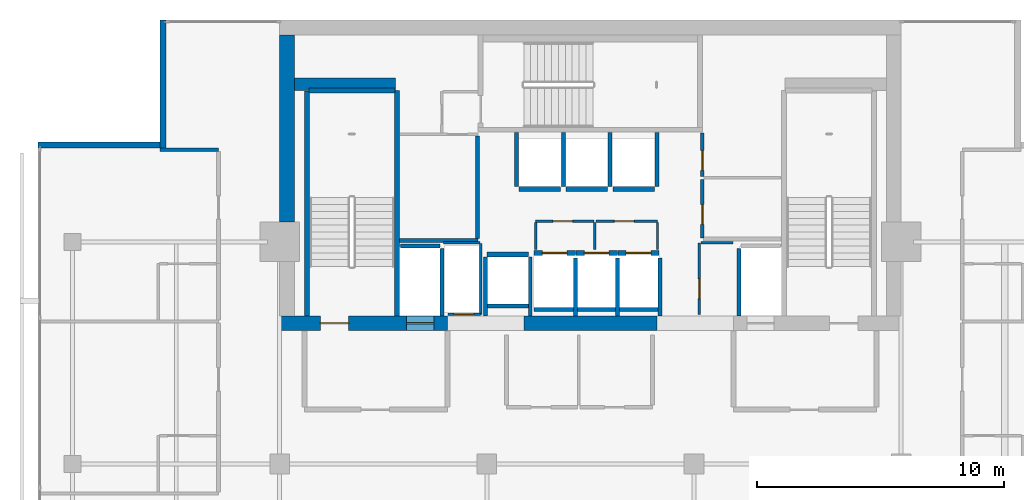
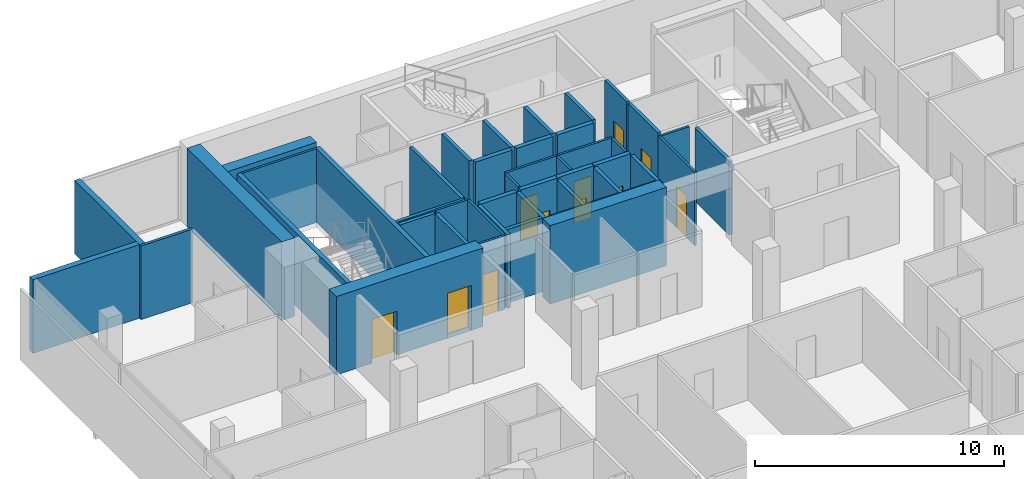
# One storey, part 22 of 26: 45 walls, 11 doors, 11 openings.
"""IFC4 building model written with IfcOpenShell, lengths in metres."""

from ifc_helpers import new_model, si_unit, direction, frame, frame_2d, origin, place, context, subcontext, project, spatial, rectangle, extrude, material, layer, layer_set, type_object, element, fill, save


model = new_model("IFC4")

# Units and contexts
model_context = context("Model", 3, precision=1e-05, world=origin(), true_north=direction((0.0, 1.0)))
body_context = subcontext(model_context, "Body", "Model", "MODEL_VIEW")
ifc_project = project(units=[si_unit("LENGTHUNIT", "METRE"), si_unit("AREAUNIT", "SQUARE_METRE"), si_unit("VOLUMEUNIT", "CUBIC_METRE"), si_unit("PLANEANGLEUNIT", "RADIAN"), si_unit("MASSUNIT", "GRAM", prefix="KILO")], contexts=[model_context])

# Site, building, storey
site_placement = place(None, origin())
site = spatial("IfcSite", under=ifc_project, at=site_placement, CompositionType="ELEMENT")
building_placement = place(site_placement, origin())
building = spatial("IfcBuilding", under=site, at=building_placement, Name="Maruvema Waterfront Hotel and Observation Tower", CompositionType="ELEMENT")
storey_placement = place(building_placement, frame((0.0, 0.0, 301.0)))
storey = spatial("IfcBuildingStorey", under=building, at=storey_placement, Name="L74", CompositionType="ELEMENT", Elevation=301.0)

# Walls
ifc_material_1 = material(Name="Twin-stud acoustic gypsum drywall", Category="gypsum")
ifc_layer_1 = layer(ifc_material_1, 0.14990234375, Name="Acoustic Corridor and Suite Demising Wall 150 mm")
ifc_layer_set_1 = layer_set([ifc_layer_1], Name="Twin-stud acoustic gypsum drywall")
wall_type_1 = type_object("IfcWallType", Name="Acoustic Corridor and Suite Demising Wall 150 mm", PredefinedType="PARTITIONING", material=ifc_layer_set_1)
wall_1_placement = place(storey_placement, frame((30.06005859375, 45.06005859375, 0.0), z_axis=(0.0, 0.0, 1.0), x_axis=(1.0, 0.0, 0.0)))
element("IfcWall", 1, at=wall_1_placement, inside=storey, type_object=wall_type_1, Name="L74 Freed B1 South Wall 017", PredefinedType="PARTITIONING", context=body_context, shape_type="SweptSolid", body=[
    extrude(rectangle(XDim=3.179931640625, YDim=0.14990234375, at=frame_2d((1.58984375, 0.0))), origin(), (0.0, 0.0, 1.0), 3.610107421875),
])
wall_2_placement = place(storey_placement, frame((33.219970703125, 45.139892578125, 0.0), z_axis=(0.0, 0.0, 1.0), x_axis=(0.0, 1.0, 0.0)))
element("IfcWall", 2, at=wall_2_placement, inside=storey, type_object=wall_type_1, Name="L74 Freed B1 East Wall 018", PredefinedType="PARTITIONING", context=body_context, shape_type="SweptSolid", body=[
    extrude(rectangle(XDim=4.16015625, YDim=0.14990234375, at=frame_2d((2.080078125, 0.0))), origin(), (0.0, 0.0, 1.0), 3.610107421875),
])

# Wall, opening, door
wall_3_placement = place(storey_placement, frame((42.340087890625, 45.159912109375, 0.0), z_axis=(0.0, 0.0, 1.0), x_axis=(0.0, 1.0, 0.0)))
wall_3 = element("IfcWall", 3, at=wall_3_placement, inside=storey, type_object=wall_type_1, Name="L74 Freed B2 West S 022", PredefinedType="PARTITIONING", context=body_context, shape_type="SweptSolid", body=[
    extrude(rectangle(XDim=2.380126953125, YDim=0.14990234375, at=frame_2d((1.18994140625, 0.0))), origin(), (0.0, 0.0, 1.0), 3.610107421875),
])
opening_1_placement = place(wall_3_placement, frame((0.550048828125, 0.0, 0.0)))
opening_1 = element("IfcOpeningElement", 4, at=opening_1_placement, cuts=wall_3, Name="Opening DR-080", PredefinedType="OPENING", context=body_context, shape_type="SweptSolid", body=[
    extrude(rectangle(XDim=0.800048828125, YDim=2.050048828125, at=frame_2d((0.39990234375, 1.02490234375))), frame((0.0, 0.0849609375, 0.0), z_axis=(0.0, -1.0, 0.0), x_axis=(1.0, 0.0, 0.0)), (0.0, 0.0, 1.0), 0.169921875),
])
ifc_material_2 = material(Name="Powder-coated steel access leaf", Category="steel")
door_type_1 = type_object("IfcDoorType", Name="Riser and Service Cupboard Door 800x2050 mm", OperationType="NOTDEFINED", PredefinedType="DOOR", material=ifc_material_2)
door_1_placement = place(opening_1_placement, frame((0.800048828125, 0.0, 0.0), z_axis=(0.0, 0.0, 1.0), x_axis=(-1.0, 0.0, 0.0)))
door_1 = element("IfcDoor", 5, at=door_1_placement, inside=storey, type_object=door_type_1, Name="L74 Butler Service Pantry Door", OperationType="SINGLE_SWING_LEFT", OverallHeight=2.050048828125, OverallWidth=0.800048828125, PredefinedType="DOOR", context=body_context, shape_type="SweptSolid", body=[
    extrude(rectangle(XDim=0.800048828125, YDim=2.050048828125, at=frame_2d((0.39990234375, 1.02490234375))), frame((0.0, 0.02490234375, 0.0), z_axis=(0.0, -1.0, 0.0), x_axis=(1.0, 0.0, 0.0)), (0.0, 0.0, 1.0), 0.050048828125),
])
fill(opening_1, door_1)

wall_4_placement = place(storey_placement, frame((42.340087890625, 47.659912109375, 0.0), z_axis=(0.0, 0.0, 1.0), x_axis=(0.0, 1.0, 0.0)))
wall_4 = element("IfcWall", 6, at=wall_4_placement, inside=storey, type_object=wall_type_1, Name="L74 Freed B2 West N 023", PredefinedType="PARTITIONING", context=body_context, shape_type="SweptSolid", body=[
    extrude(rectangle(XDim=1.760009765625, YDim=0.14990234375, at=frame_2d((0.8798828125, 0.0))), origin(), (0.0, 0.0, 1.0), 3.610107421875),
])
opening_2_placement = place(wall_4_placement, frame((0.239990234375, 0.0, 0.0)))
opening_2 = element("IfcOpeningElement", 7, at=opening_2_placement, cuts=wall_4, Name="Opening DR-080", PredefinedType="OPENING", context=body_context, shape_type="SweptSolid", body=[
    extrude(rectangle(XDim=0.800048828125, YDim=2.050048828125, at=frame_2d((0.39990234375, 1.02490234375))), frame((0.0, 0.0849609375, 0.0), z_axis=(0.0, -1.0, 0.0), x_axis=(1.0, 0.0, 0.0)), (0.0, 0.0, 1.0), 0.169921875),
])
door_2_placement = place(opening_2_placement, frame((0.800048828125, 0.0, 0.0), z_axis=(0.0, 0.0, 1.0), x_axis=(-1.0, 0.0, 0.0)))
door_2 = element("IfcDoor", 8, at=door_2_placement, inside=storey, type_object=door_type_1, Name="L74 Core IT and Linen Store Door", OperationType="SINGLE_SWING_RIGHT", OverallHeight=2.050048828125, OverallWidth=0.800048828125, PredefinedType="DOOR", context=body_context, shape_type="SweptSolid", body=[
    extrude(rectangle(XDim=0.800048828125, YDim=2.050048828125, at=frame_2d((0.39990234375, 1.02490234375))), frame((0.0, 0.02490234375, 0.0), z_axis=(0.0, -1.0, 0.0), x_axis=(1.0, 0.0, 0.0)), (0.0, 0.0, 1.0), 0.050048828125),
])
fill(opening_2, door_2)

# Walls
ifc_material_3 = material(Name="Precast concrete C45/55", Category="concrete")
ifc_layer_2 = layer(ifc_material_3, 0.199951171875, Name="Core Shaft and Stairwell Enclosure Wall 200 mm")
ifc_layer_set_2 = layer_set([ifc_layer_2], Name="Precast concrete C45/55")
wall_type_2 = type_object("IfcWallType", Name="Core Shaft and Stairwell Enclosure Wall 200 mm", PredefinedType="SOLIDWALL", material=ifc_layer_set_2)
wall_5_placement = place(storey_placement, frame((29.949951171875, 42.0, 0.0), z_axis=(0.0, 0.0, 1.0), x_axis=(0.0, 1.0, 0.0)))
element("IfcWall", 9, at=wall_5_placement, inside=storey, type_object=wall_type_2, Name="L74 Stairwell ST-01 East Shaft Wall", PredefinedType="SOLIDWALL", context=body_context, shape_type="SweptSolid", body=[
    extrude(rectangle(XDim=9.14990234375, YDim=0.199951171875, at=frame_2d((4.574951171875, 0.0))), origin(), (0.0, 0.0, 1.0), 3.610107421875),
])
wall_6_placement = place(storey_placement, frame((26.300048828125, 42.0, 0.0), z_axis=(0.0, 0.0, 1.0), x_axis=(0.0, 1.0, 0.0)))
element("IfcWall", 10, at=wall_6_placement, inside=storey, type_object=wall_type_2, Name="L74 Stairwell ST-01 Shaft Lining Wall", PredefinedType="SOLIDWALL", context=body_context, shape_type="SweptSolid", body=[
    extrude(rectangle(XDim=9.1201171875, YDim=0.199951171875, at=frame_2d((4.56005859375, 0.0))), origin(), (0.0, 0.0, 1.0), 3.610107421875),
])
wall_7_placement = place(storey_placement, frame((26.3798828125, 51.14990234375, 0.0), z_axis=(0.0, 0.0, 1.0), x_axis=(1.0, 0.0, 0.0)))
element("IfcWall", 11, at=wall_7_placement, inside=storey, type_object=wall_type_2, Name="L74 Stairwell ST-01 Shaft Lining Wall", PredefinedType="SOLIDWALL", context=body_context, shape_type="SweptSolid", body=[
    extrude(rectangle(XDim=3.5, YDim=0.199951171875, at=frame_2d((1.75, 0.0))), origin(), (0.0, 0.0, 1.0), 3.610107421875),
])

# Wall, opening, door
wall_8_placement = place(storey_placement, frame((35.510009765625, 44.550048828125, 0.0), z_axis=(0.0, 0.0, 1.0), x_axis=(1.0, 0.0, 0.0)))
wall_8 = element("IfcWall", 12, at=wall_8_placement, inside=storey, type_object=wall_type_2, Name="L74 Lift LF-09 Hoistway Front Wall", PredefinedType="SOLIDWALL", context=body_context, shape_type="SweptSolid", body=[
    extrude(rectangle(XDim=1.679931640625, YDim=0.199951171875, at=frame_2d((0.83984375, 0.0))), origin(), (0.0, 0.0, 1.0), 3.610107421875),
])
opening_3_placement = place(wall_8_placement, frame((0.340087890625, 0.0, 0.0)))
opening_3 = element("IfcOpeningElement", 13, at=opening_3_placement, cuts=wall_8, Name="Opening LD-01", PredefinedType="OPENING", context=body_context, shape_type="SweptSolid", body=[
    extrude(rectangle(XDim=1.0, YDim=2.14990234375, at=frame_2d((0.5, 1.074951171875))), frame((0.0, 0.10986328125, 0.0), z_axis=(0.0, -1.0, 0.0), x_axis=(1.0, 0.0, 0.0)), (0.0, 0.0, 1.0), 0.219970703125),
])
ifc_material_4 = material(Name="Brushed stainless steel Grade 316", Category="steel")
door_type_2 = type_object("IfcDoorType", Name="Passenger Lift Sliding Landing Door 1000x2150 mm", OperationType="SLIDING_TO_LEFT", PredefinedType="DOOR", material=ifc_material_4)
door_3_placement = place(opening_3_placement, origin())
door_3 = element("IfcDoor", 14, at=door_3_placement, inside=storey, type_object=door_type_2, Name="L74 Lift LF-09 Sliding Landing Door", OperationType="SLIDING_TO_LEFT", OverallHeight=2.14990234375, OverallWidth=1.0, PredefinedType="DOOR", context=body_context, shape_type="SweptSolid", body=[
    extrude(rectangle(XDim=1.0, YDim=2.14990234375, at=frame_2d((0.5, 1.074951171875))), frame((0.0, 0.02490234375, 0.0), z_axis=(0.0, -1.0, 0.0), x_axis=(1.0, 0.0, 0.0)), (0.0, 0.0, 1.0), 0.050048828125),
])
fill(opening_3, door_3)

wall_9_placement = place(storey_placement, frame((37.2099609375, 44.550048828125, 0.0), z_axis=(0.0, 0.0, 1.0), x_axis=(1.0, 0.0, 0.0)))
wall_9 = element("IfcWall", 15, at=wall_9_placement, inside=storey, type_object=wall_type_2, Name="L74 Lift LF-10 Hoistway Front Wall", PredefinedType="SOLIDWALL", context=body_context, shape_type="SweptSolid", body=[
    extrude(rectangle(XDim=1.679931640625, YDim=0.199951171875, at=frame_2d((0.83984375, 0.0))), origin(), (0.0, 0.0, 1.0), 3.610107421875),
])
opening_4_placement = place(wall_9_placement, frame((0.340087890625, 0.0, 0.0)))
opening_4 = element("IfcOpeningElement", 16, at=opening_4_placement, cuts=wall_9, Name="Opening LD-01", PredefinedType="OPENING", context=body_context, shape_type="SweptSolid", body=[
    extrude(rectangle(XDim=1.0, YDim=2.14990234375, at=frame_2d((0.5, 1.074951171875))), frame((0.0, 0.10986328125, 0.0), z_axis=(0.0, -1.0, 0.0), x_axis=(1.0, 0.0, 0.0)), (0.0, 0.0, 1.0), 0.219970703125),
])
door_4_placement = place(opening_4_placement, origin())
door_4 = element("IfcDoor", 17, at=door_4_placement, inside=storey, type_object=door_type_2, Name="L74 Lift LF-10 Sliding Landing Door", OperationType="SLIDING_TO_LEFT", OverallHeight=2.14990234375, OverallWidth=1.0, PredefinedType="DOOR", context=body_context, shape_type="SweptSolid", body=[
    extrude(rectangle(XDim=1.0, YDim=2.14990234375, at=frame_2d((0.5, 1.074951171875))), frame((0.0, 0.02490234375, 0.0), z_axis=(0.0, -1.0, 0.0), x_axis=(1.0, 0.0, 0.0)), (0.0, 0.0, 1.0), 0.050048828125),
])
fill(opening_4, door_4)

wall_10_placement = place(storey_placement, frame((38.909912109375, 44.550048828125, 0.0), z_axis=(0.0, 0.0, 1.0), x_axis=(1.0, 0.0, 0.0)))
wall_10 = element("IfcWall", 18, at=wall_10_placement, inside=storey, type_object=wall_type_2, Name="L74 Lift LF-11 Hoistway Front Wall", PredefinedType="SOLIDWALL", context=body_context, shape_type="SweptSolid", body=[
    extrude(rectangle(XDim=1.68017578125, YDim=0.199951171875, at=frame_2d((0.840087890625, 0.0))), origin(), (0.0, 0.0, 1.0), 3.610107421875),
])
opening_5_placement = place(wall_10_placement, frame((0.340087890625, 0.0, 0.0)))
opening_5 = element("IfcOpeningElement", 19, at=opening_5_placement, cuts=wall_10, Name="Opening LD-01", PredefinedType="OPENING", context=body_context, shape_type="SweptSolid", body=[
    extrude(rectangle(XDim=1.0, YDim=2.14990234375, at=frame_2d((0.5, 1.074951171875))), frame((0.0, 0.10986328125, 0.0), z_axis=(0.0, -1.0, 0.0), x_axis=(1.0, 0.0, 0.0)), (0.0, 0.0, 1.0), 0.219970703125),
])
door_5_placement = place(opening_5_placement, origin())
door_5 = element("IfcDoor", 20, at=door_5_placement, inside=storey, type_object=door_type_2, Name="L74 Lift LF-11 Sliding Landing Door", OperationType="SLIDING_TO_LEFT", OverallHeight=2.14990234375, OverallWidth=1.0, PredefinedType="DOOR", context=body_context, shape_type="SweptSolid", body=[
    extrude(rectangle(XDim=1.0, YDim=2.14990234375, at=frame_2d((0.5, 1.074951171875))), frame((0.0, 0.02490234375, 0.0), z_axis=(0.0, -1.0, 0.0), x_axis=(1.0, 0.0, 0.0)), (0.0, 0.0, 1.0), 0.050048828125),
])
fill(opening_5, door_5)

# Walls
wall_11_placement = place(storey_placement, frame((34.909912109375, 47.14990234375, 0.0), z_axis=(0.0, 0.0, 1.0), x_axis=(1.0, 0.0, 0.0)))
element("IfcWall", 21, at=wall_11_placement, inside=storey, type_object=wall_type_2, Name="L74 Lift LF-12 Hoistway Front Wall", PredefinedType="SOLIDWALL", context=body_context, shape_type="SweptSolid", body=[
    extrude(rectangle(XDim=1.68017578125, YDim=0.199951171875, at=frame_2d((0.840087890625, 0.0))), origin(), (0.0, 0.0, 1.0), 3.610107421875),
])
for number, where, z_axis, x_axis, name in (
    (22, (36.81005859375, 47.14990234375, 0.0), (0.0, 0.0, 1.0), (1.0, 0.0, 0.0), "L74 Lift LF-13 Hoistway Front Wall"),
    (23, (38.7099609375, 47.14990234375, 0.0), (0.0, 0.0, 1.0), (1.0, 0.0, 0.0), "L74 Lift LF-14 Hoistway Front Wall"),
    (24, (33.610107421875, 44.5, 0.0), (0.0, 0.0, 1.0), (1.0, 0.0, 0.0), "L74 Lift LF-15 Hoistway Front Wall"),
):
    element("IfcWall", number, at=place(storey_placement, frame(where, z_axis=z_axis, x_axis=x_axis)), inside=storey, type_object=wall_type_2, Name=name, PredefinedType="SOLIDWALL", context=body_context, shape_type="SweptSolid", body=[
        extrude(rectangle(XDim=1.679931640625, YDim=0.199951171875, at=frame_2d((0.83984375, 0.0))), origin(), (0.0, 0.0, 1.0), 3.610107421875),
    ])
ifc_material_5 = material(Name="Concrete C70/85", Category="concrete")
ifc_layer_3 = layer(ifc_material_5, 0.5, Name="Core Shear Wall 500 mm")
ifc_layer_set_3 = layer_set([ifc_layer_3], Name="Concrete C70/85")
wall_type_3 = type_object("IfcWallType", Name="Core Shear Wall 500 mm", PredefinedType="SHEAR", material=ifc_layer_set_3)
wall_12_placement = place(storey_placement, frame((25.800048828125, 51.39990234375, 0.0), z_axis=(0.0, 0.0, 1.0), x_axis=(1.0, 0.0, 0.0)))
element("IfcWall", 25, at=wall_12_placement, inside=storey, type_object=wall_type_3, Name="L74 Internal Core Shear Wall NW 500 mm", PredefinedType="SHEAR", context=body_context, shape_type="SweptSolid", body=[
    extrude(rectangle(XDim=4.099853515625, YDim=0.5, at=frame_2d((2.0498046875, 0.0))), origin(), (0.0, 0.0, 1.0), 3.85009765625),
])

# Wall, openings, doors
ifc_material_6 = material(Name="Concrete C60/75", Category="concrete")
ifc_layer_4 = layer(ifc_material_6, 0.60009765625, Name="Core Shear Wall 600 mm")
ifc_layer_set_4 = layer_set([ifc_layer_4], Name="Concrete C60/75")
wall_type_4 = type_object("IfcWallType", Name="Core Shear Wall 600 mm", PredefinedType="SHEAR", material=ifc_layer_set_4)
wall_13_placement = place(storey_placement, frame((25.199951171875, 41.699951171875, 0.0), z_axis=(0.0, 0.0, 1.0), x_axis=(1.0, 0.0, 0.0)))
wall_13 = element("IfcWall", 26, at=wall_13_placement, inside=storey, type_object=wall_type_4, Name="L74 South-West Core Shear Wall", PredefinedType="SHEAR", context=body_context, shape_type="SweptSolid", body=[
    extrude(rectangle(XDim=6.800048828125, YDim=0.60009765625, at=frame_2d((3.39990234375, 0.0))), origin(), (0.0, 0.0, 1.0), 3.85009765625),
])
opening_6_placement = place(wall_13_placement, frame((1.64990234375, 0.0, 0.0)))
opening_6 = element("IfcOpeningElement", 27, at=opening_6_placement, cuts=wall_13, Name="Opening SD-01", PredefinedType="OPENING", context=body_context, shape_type="SweptSolid", body=[
    extrude(rectangle(XDim=1.14990234375, YDim=2.14990234375, at=frame_2d((0.574951171875, 1.074951171875))), frame((0.0, 0.31005859375, 0.0), z_axis=(0.0, -1.0, 0.0), x_axis=(1.0, 0.0, 0.0)), (0.0, 0.0, 1.0), 0.6201171875),
])
opening_7_placement = place(wall_13_placement, frame((5.14990234375, 0.0, 0.0)))
opening_7 = element("IfcOpeningElement", 28, at=opening_7_placement, cuts=wall_13, Name="Opening LD-03", PredefinedType="OPENING", context=body_context, shape_type="SweptSolid", body=[
    extrude(rectangle(XDim=1.10009765625, YDim=2.199951171875, at=frame_2d((0.550048828125, 1.10009765625))), frame((0.0, 0.31005859375, 0.0), z_axis=(0.0, -1.0, 0.0), x_axis=(1.0, 0.0, 0.0)), (0.0, 0.0, 1.0), 0.6201171875),
])
ifc_material_7 = material(Name="Fire-rated galvanised steel leaf", Category="steel")
door_type_3 = type_object("IfcDoorType", Name="Exit Stair Fire Door 1150x2150 mm", OperationType="NOTDEFINED", PredefinedType="DOOR", material=ifc_material_7)
door_6_placement = place(opening_6_placement, origin())
door_6 = element("IfcDoor", 29, at=door_6_placement, inside=storey, type_object=door_type_3, Name="L74 Exit Stair ST-01 Fire Door", OperationType="SINGLE_SWING_LEFT", OverallHeight=2.14990234375, OverallWidth=1.14990234375, PredefinedType="DOOR", context=body_context, shape_type="SweptSolid", body=[
    extrude(rectangle(XDim=1.14990234375, YDim=2.14990234375, at=frame_2d((0.574951171875, 1.074951171875))), frame((0.0, 0.02490234375, 0.0), z_axis=(0.0, -1.0, 0.0), x_axis=(1.0, 0.0, 0.0)), (0.0, 0.0, 1.0), 0.050048828125),
])
fill(opening_6, door_6)
ifc_material_8 = material(Name="Brushed stainless steel Grade 316", Category="steel")
door_type_4 = type_object("IfcDoorType", Name="Firefighting Lift Sliding Landing Door 1100x2200 mm", OperationType="SLIDING_TO_LEFT", PredefinedType="DOOR", material=ifc_material_8)
door_7_placement = place(opening_7_placement, frame((1.10009765625, 0.0, 0.0), z_axis=(0.0, 0.0, 1.0), x_axis=(-1.0, 0.0, 0.0)))
door_7 = element("IfcDoor", 30, at=door_7_placement, inside=storey, type_object=door_type_4, Name="L74 Firefighting Lift FL-01 Landing Door", OperationType="SLIDING_TO_LEFT", OverallHeight=2.199951171875, OverallWidth=1.10009765625, PredefinedType="DOOR", context=body_context, shape_type="SweptSolid", body=[
    extrude(rectangle(XDim=1.10009765625, YDim=2.199951171875, at=frame_2d((0.550048828125, 1.10009765625))), frame((0.0, 0.02490234375, 0.0), z_axis=(0.0, -1.0, 0.0), x_axis=(1.0, 0.0, 0.0)), (0.0, 0.0, 1.0), 0.050048828125),
])
fill(opening_7, door_7)

# Walls
wall_14_placement = place(storey_placement, frame((35.10009765625, 41.699951171875, 0.0), z_axis=(0.0, 0.0, 1.0), x_axis=(1.0, 0.0, 0.0)))
element("IfcWall", 31, at=wall_14_placement, inside=storey, type_object=wall_type_4, Name="L74 South-Central Core Shear Wall", PredefinedType="SHEAR", context=body_context, shape_type="SweptSolid", body=[
    extrude(rectangle(XDim=5.39990234375, YDim=0.60009765625, at=frame_2d((2.699951171875, 0.0))), origin(), (0.0, 0.0, 1.0), 3.85009765625),
])
wall_15_placement = place(storey_placement, frame((25.5, 45.800048828125, 0.0), z_axis=(0.0, 0.0, 1.0), x_axis=(0.0, 1.0, 0.0)))
element("IfcWall", 32, at=wall_15_placement, inside=storey, type_object=wall_type_4, Name="L74 West-North Core Shear Wall", PredefinedType="SHEAR", context=body_context, shape_type="SweptSolid", body=[
    extrude(rectangle(XDim=7.599853515625, YDim=0.60009765625, at=frame_2d((3.7998046875, 0.0))), origin(), (0.0, 0.0, 1.0), 3.85009765625),
])

# Wall, opening, door
ifc_material_9 = material(Name="Moisture-resistant cement-board drywall", Category="gypsum")
ifc_layer_5 = layer(ifc_material_9, 0.10009765625, Name="En-Suite Moisture-Resistant Partition 100 mm")
ifc_layer_set_5 = layer_set([ifc_layer_5], Name="Moisture-resistant cement-board drywall")
wall_type_5 = type_object("IfcWallType", Name="En-Suite Moisture-Resistant Partition 100 mm", PredefinedType="PARTITIONING", material=ifc_layer_set_5)
wall_16_placement = place(storey_placement, frame((32.02001953125, 42.06005859375, 0.0), z_axis=(0.0, 0.0, 1.0), x_axis=(1.0, 0.0, 0.0)))
wall_16 = element("IfcWall", 33, at=wall_16_placement, inside=storey, type_object=wall_type_5, Name="L74 Telecom Riser South Wall 007", PredefinedType="PARTITIONING", context=body_context, shape_type="SweptSolid", body=[
    extrude(rectangle(XDim=1.320068359375, YDim=0.10009765625, at=frame_2d((0.66015625, 0.0))), origin(), (0.0, 0.0, 1.0), 3.610107421875),
])
opening_8_placement = place(wall_16_placement, frame((0.239990234375, 0.0, 0.0)))
opening_8 = element("IfcOpeningElement", 34, at=opening_8_placement, cuts=wall_16, Name="Opening DR-080", PredefinedType="OPENING", context=body_context, shape_type="SweptSolid", body=[
    extrude(rectangle(XDim=0.800048828125, YDim=2.050048828125, at=frame_2d((0.39990234375, 1.02490234375))), frame((0.0, 0.06005859375, 0.0), z_axis=(0.0, -1.0, 0.0), x_axis=(1.0, 0.0, 0.0)), (0.0, 0.0, 1.0), 0.1201171875),
])
door_8_placement = place(opening_8_placement, frame((0.800048828125, 0.0, 0.0), z_axis=(0.0, 0.0, 1.0), x_axis=(-1.0, 0.0, 0.0)))
door_8 = element("IfcDoor", 35, at=door_8_placement, inside=storey, type_object=door_type_1, Name="L74 Telecom Riser Door", OperationType="SINGLE_SWING_LEFT", OverallHeight=2.050048828125, OverallWidth=0.800048828125, PredefinedType="DOOR", context=body_context, shape_type="SweptSolid", body=[
    extrude(rectangle(XDim=0.800048828125, YDim=2.050048828125, at=frame_2d((0.39990234375, 1.02490234375))), frame((0.0, 0.02490234375, 0.0), z_axis=(0.0, -1.0, 0.0), x_axis=(1.0, 0.0, 0.0)), (0.0, 0.0, 1.0), 0.050048828125),
])
fill(opening_8, door_8)

# Walls
wall_17_placement = place(storey_placement, frame((31.840087890625, 44.9599609375, 0.0), z_axis=(0.0, 0.0, 1.0), x_axis=(1.0, 0.0, 0.0)))
element("IfcWall", 36, at=wall_17_placement, inside=storey, type_object=wall_type_5, Name="L74 Telecom Riser North Wall 008", PredefinedType="PARTITIONING", context=body_context, shape_type="SweptSolid", body=[
    extrude(rectangle(XDim=1.47998046875, YDim=0.10009765625, at=frame_2d((0.739990234375, 0.0))), origin(), (0.0, 0.0, 1.0), 3.610107421875),
])
wall_18_placement = place(storey_placement, frame((33.360107421875, 42.06005859375, 0.0), z_axis=(0.0, 0.0, 1.0), x_axis=(0.0, 1.0, 0.0)))
element("IfcWall", 37, at=wall_18_placement, inside=storey, type_object=wall_type_5, Name="L74 Telecom Riser East Wall 009", PredefinedType="PARTITIONING", context=body_context, shape_type="SweptSolid", body=[
    extrude(rectangle(XDim=2.8798828125, YDim=0.10009765625, at=frame_2d((1.43994140625, 0.0))), origin(), (0.0, 0.0, 1.0), 3.610107421875),
])

# Wall, opening, door
wall_19_placement = place(storey_placement, frame((35.580078125, 45.840087890625, 0.0), z_axis=(0.0, 0.0, 1.0), x_axis=(1.0, 0.0, 0.0)))
wall_19 = element("IfcWall", 38, at=wall_19_placement, inside=storey, type_object=wall_type_5, Name="L74 Core Closet K2A North 010", PredefinedType="PARTITIONING", context=body_context, shape_type="SweptSolid", body=[
    extrude(rectangle(XDim=2.35986328125, YDim=0.10009765625, at=frame_2d((1.179931640625, 0.0))), origin(), (0.0, 0.0, 1.0), 3.610107421875),
])
opening_9_placement = place(wall_19_placement, frame((0.699951171875, 0.0, 0.0)))
opening_9 = element("IfcOpeningElement", 39, at=opening_9_placement, cuts=wall_19, Name="Opening DR-080", PredefinedType="OPENING", context=body_context, shape_type="SweptSolid", body=[
    extrude(rectangle(XDim=0.800048828125, YDim=2.050048828125, at=frame_2d((0.39990234375, 1.02490234375))), frame((0.0, 0.06005859375, 0.0), z_axis=(0.0, -1.0, 0.0), x_axis=(1.0, 0.0, 0.0)), (0.0, 0.0, 1.0), 0.1201171875),
])
door_9_placement = place(opening_9_placement, origin())
door_9 = element("IfcDoor", 40, at=door_9_placement, inside=storey, type_object=door_type_1, Name="L74 Core IT Closet Door", OperationType="SINGLE_SWING_RIGHT", OverallHeight=2.050048828125, OverallWidth=0.800048828125, PredefinedType="DOOR", context=body_context, shape_type="SweptSolid", body=[
    extrude(rectangle(XDim=0.800048828125, YDim=2.050048828125, at=frame_2d((0.39990234375, 1.02490234375))), frame((0.0, 0.02490234375, 0.0), z_axis=(0.0, -1.0, 0.0), x_axis=(1.0, 0.0, 0.0)), (0.0, 0.0, 1.0), 0.050048828125),
])
fill(opening_9, door_9)

wall_20_placement = place(storey_placement, frame((38.02001953125, 45.840087890625, 0.0), z_axis=(0.0, 0.0, 1.0), x_axis=(1.0, 0.0, 0.0)))
wall_20 = element("IfcWall", 41, at=wall_20_placement, inside=storey, type_object=wall_type_5, Name="L74 Core Closet K2B North 011", PredefinedType="PARTITIONING", context=body_context, shape_type="SweptSolid", body=[
    extrude(rectangle(XDim=2.5, YDim=0.10009765625, at=frame_2d((1.25, 0.0))), origin(), (0.0, 0.0, 1.0), 3.610107421875),
])
opening_10_placement = place(wall_20_placement, frame((0.75, 0.0, 0.0)))
opening_10 = element("IfcOpeningElement", 42, at=opening_10_placement, cuts=wall_20, Name="Opening DR-080", PredefinedType="OPENING", context=body_context, shape_type="SweptSolid", body=[
    extrude(rectangle(XDim=0.800048828125, YDim=2.050048828125, at=frame_2d((0.39990234375, 1.02490234375))), frame((0.0, 0.06005859375, 0.0), z_axis=(0.0, -1.0, 0.0), x_axis=(1.0, 0.0, 0.0)), (0.0, 0.0, 1.0), 0.1201171875),
])
door_10_placement = place(opening_10_placement, origin())
door_10 = element("IfcDoor", 43, at=door_10_placement, inside=storey, type_object=door_type_1, Name="L74 Core Linen Cupboard Door", OperationType="SINGLE_SWING_LEFT", OverallHeight=2.050048828125, OverallWidth=0.800048828125, PredefinedType="DOOR", context=body_context, shape_type="SweptSolid", body=[
    extrude(rectangle(XDim=0.800048828125, YDim=2.050048828125, at=frame_2d((0.39990234375, 1.02490234375))), frame((0.0, 0.02490234375, 0.0), z_axis=(0.0, -1.0, 0.0), x_axis=(1.0, 0.0, 0.0)), (0.0, 0.0, 1.0), 0.050048828125),
])
fill(opening_10, door_10)

# Walls
for number, where, z_axis, x_axis, name in (
    (44, (35.580078125, 44.699951171875, 0.0), (0.0, 0.0, 1.0), (0.0, 1.0, 0.0), "L74 Core Closet K2 West 012"),
    (45, (37.97998046875, 44.699951171875, 0.0), (0.0, 0.0, 1.0), (0.0, 1.0, 0.0), "L74 Core Closet K2 Mid 013"),
    (46, (40.52001953125, 44.699951171875, 0.0), (0.0, 0.0, 1.0), (0.0, 1.0, 0.0), "L74 Core Closet K2 East 014"),
):
    element("IfcWall", number, at=place(storey_placement, frame(where, z_axis=z_axis, x_axis=x_axis)), inside=storey, type_object=wall_type_5, Name=name, PredefinedType="PARTITIONING", context=body_context, shape_type="SweptSolid", body=[
        extrude(rectangle(XDim=1.080078125, YDim=0.10009765625, at=frame_2d((0.5400390625, 0.0))), origin(), (0.0, 0.0, 1.0), 3.610107421875),
    ])

# Wall, opening, door
wall_21_placement = place(storey_placement, frame((42.219970703125, 42.050048828125, 0.0), z_axis=(0.0, 0.0, 1.0), x_axis=(0.0, 1.0, 0.0)))
wall_21 = element("IfcWall", 47, at=wall_21_placement, inside=storey, type_object=wall_type_5, Name="L74 Core Closet K2C West 015", PredefinedType="PARTITIONING", context=body_context, shape_type="SweptSolid", body=[
    extrude(rectangle(XDim=2.909912109375, YDim=0.10009765625, at=frame_2d((1.455078125, 0.0))), origin(), (0.0, 0.0, 1.0), 3.610107421875),
])
opening_11_placement = place(wall_21_placement, frame((0.64990234375, 0.0, 0.0)))
opening_11 = element("IfcOpeningElement", 48, at=opening_11_placement, cuts=wall_21, Name="Opening DR-080", PredefinedType="OPENING", context=body_context, shape_type="SweptSolid", body=[
    extrude(rectangle(XDim=0.800048828125, YDim=2.050048828125, at=frame_2d((0.39990234375, 1.02490234375))), frame((0.0, 0.06005859375, 0.0), z_axis=(0.0, -1.0, 0.0), x_axis=(1.0, 0.0, 0.0)), (0.0, 0.0, 1.0), 0.1201171875),
])
door_11_placement = place(opening_11_placement, frame((0.800048828125, 0.0, 0.0), z_axis=(0.0, 0.0, 1.0), x_axis=(-1.0, 0.0, 0.0)))
door_11 = element("IfcDoor", 49, at=door_11_placement, inside=storey, type_object=door_type_1, Name="L74 Core Housekeeping Closet Door", OperationType="SINGLE_SWING_RIGHT", OverallHeight=2.050048828125, OverallWidth=0.800048828125, PredefinedType="DOOR", context=body_context, shape_type="SweptSolid", body=[
    extrude(rectangle(XDim=0.800048828125, YDim=2.050048828125, at=frame_2d((0.39990234375, 1.02490234375))), frame((0.0, 0.02490234375, 0.0), z_axis=(0.0, -1.0, 0.0), x_axis=(1.0, 0.0, 0.0)), (0.0, 0.0, 1.0), 0.050048828125),
])
fill(opening_11, door_11)

# Walls
wall_22_placement = place(storey_placement, frame((42.280029296875, 44.9599609375, 0.0), z_axis=(0.0, 0.0, 1.0), x_axis=(1.0, 0.0, 0.0)))
element("IfcWall", 50, at=wall_22_placement, inside=storey, type_object=wall_type_5, Name="L74 Core Closet K2C North 016", PredefinedType="PARTITIONING", context=body_context, shape_type="SweptSolid", body=[
    extrude(rectangle(XDim=1.300048828125, YDim=0.10009765625, at=frame_2d((0.64990234375, 0.0))), origin(), (0.0, 0.0, 1.0), 3.610107421875),
])
ifc_material_10 = material(Name="Precast concrete C45/55 with honed Pernambuco granite facing", Category="masonry")
ifc_layer_6 = layer(ifc_material_10, 0.260009765625, Name="Exterior Granite Clad Spandrel and Pier Wall 260 mm")
ifc_layer_set_6 = layer_set([ifc_layer_6], Name="Precast concrete C45/55 with honed Pernambuco granite facing")
wall_type_6 = type_object("IfcWallType", Name="Exterior Granite Clad Spandrel and Pier Wall 260 mm", PredefinedType="SOLIDWALL", material=ifc_layer_set_6)
wall_23_placement = place(storey_placement, frame((20.469970703125, 48.800048828125, 0.0), z_axis=(0.0, 0.0, 1.0), x_axis=(0.0, 1.0, 0.0)))
element("IfcWall", 51, at=wall_23_placement, inside=storey, type_object=wall_type_6, Name="L74 Corner Notch Granite Pier Wall NW1", PredefinedType="SOLIDWALL", context=body_context, shape_type="SweptSolid", body=[
    extrude(rectangle(XDim=5.199951171875, YDim=0.260009765625, at=frame_2d((2.60009765625, 0.0))), origin(), (0.0, 0.0, 1.0), 3.610107421875),
])
wall_24_placement = place(storey_placement, frame((15.39990234375, 48.929931640625, 0.0), z_axis=(0.0, 0.0, 1.0), x_axis=(1.0, 0.0, 0.0)))
element("IfcWall", 52, at=wall_24_placement, inside=storey, type_object=wall_type_6, Name="L74 Corner Notch Granite Pier Wall NW2", PredefinedType="SOLIDWALL", context=body_context, shape_type="SweptSolid", body=[
    extrude(rectangle(XDim=5.2001953125, YDim=0.260009765625, at=frame_2d((2.60009765625, 0.0))), origin(), (0.0, 0.0, 1.0), 3.610107421875),
])
ifc_material_11 = material(Name="Acoustic gypsum plasterboard drywall", Category="gypsum")
ifc_layer_7 = layer(ifc_material_11, 0.125, Name="Guestroom Acoustic Demising Wall 125 mm")
ifc_layer_set_7 = layer_set([ifc_layer_7], Name="Acoustic gypsum plasterboard drywall")
wall_type_7 = type_object("IfcWallType", Name="Guestroom Acoustic Demising Wall 125 mm", PredefinedType="PARTITIONING", material=ifc_layer_set_7)
wall_25_placement = place(storey_placement, frame((20.340087890625, 48.737548828125, 0.0), z_axis=(0.0, 0.0, 1.0), x_axis=(1.0, 0.0, 0.0)))
element("IfcWall", 53, at=wall_25_placement, inside=storey, type_object=wall_type_7, Name="L74 Z3 NW Top End 085", PredefinedType="PARTITIONING", context=body_context, shape_type="SweptSolid", body=[
    extrude(rectangle(XDim=2.3798828125, YDim=0.125, at=frame_2d((1.18994140625, 0.0))), origin(), (0.0, 0.0, 1.0), 3.610107421875),
])
ifc_material_12 = material(Name="Precast concrete C45/55", Category="concrete")
ifc_layer_8 = layer(ifc_material_12, 0.159912109375, Name="Lift Hoistway Divider Wall 160 mm")
ifc_layer_set_8 = layer_set([ifc_layer_8], Name="Precast concrete C45/55")
wall_type_8 = type_object("IfcWallType", Name="Lift Hoistway Divider Wall 160 mm", PredefinedType="SOLIDWALL", material=ifc_layer_set_8)
wall_26_placement = place(storey_placement, frame((30.10009765625, 44.830078125, 0.0), z_axis=(0.0, 0.0, 1.0), x_axis=(1.0, 0.0, 0.0)))
element("IfcWall", 54, at=wall_26_placement, inside=storey, type_object=wall_type_8, Name="L74 Lift FL-01 Rear Hoistway Wall", PredefinedType="SOLIDWALL", context=body_context, shape_type="SweptSolid", body=[
    extrude(rectangle(XDim=1.599853515625, YDim=0.159912109375, at=frame_2d((0.7998046875, 0.0))), origin(), (0.0, 0.0, 1.0), 3.610107421875),
])
for number, where, z_axis, x_axis, name in (
    (55, (31.780029296875, 42.0, 0.0), (0.0, 0.0, 1.0), (0.0, 1.0, 0.0), "L74 Lift FL-01 Inner Hoistway Wall"),
    (56, (43.820068359375, 42.0, 0.0), (0.0, 0.0, 1.0), (0.0, 1.0, 0.0), "L74 Lift FL-02 Inner Hoistway Wall"),
):
    element("IfcWall", number, at=place(storey_placement, frame(where, z_axis=z_axis, x_axis=x_axis)), inside=storey, type_object=wall_type_8, Name=name, PredefinedType="SOLIDWALL", context=body_context, shape_type="SweptSolid", body=[
        extrude(rectangle(XDim=2.739990234375, YDim=0.159912109375, at=frame_2d((1.3701171875, 0.0))), origin(), (0.0, 0.0, 1.0), 3.610107421875),
    ])
for number, where, z_axis, x_axis, name in (
    (57, (37.199951171875, 42.0, 0.0), (0.0, 0.0, 1.0), (0.0, 1.0, 0.0), "L74 Hoistway Divider Wall"),
    (58, (38.89990234375, 42.0, 0.0), (0.0, 0.0, 1.0), (0.0, 1.0, 0.0), "L74 Hoistway Divider Wall"),
    (59, (40.6201171875, 42.0, 0.0), (0.0, 0.0, 1.0), (0.0, 1.0, 0.0), "L74 Hoistway Divider Wall"),
):
    element("IfcWall", number, at=place(storey_placement, frame(where, z_axis=z_axis, x_axis=x_axis)), inside=storey, type_object=wall_type_8, Name=name, PredefinedType="SOLIDWALL", context=body_context, shape_type="SweptSolid", body=[
        extrude(rectangle(XDim=2.35009765625, YDim=0.159912109375, at=frame_2d((1.175048828125, 0.0))), origin(), (0.0, 0.0, 1.0), 3.610107421875),
    ])
wall_27_placement = place(storey_placement, frame((35.52001953125, 42.260009765625, 0.0), z_axis=(0.0, 0.0, 1.0), x_axis=(1.0, 0.0, 0.0)))
element("IfcWall", 60, at=wall_27_placement, inside=storey, type_object=wall_type_8, Name="L74 Hoistway Divider Wall", PredefinedType="SOLIDWALL", context=body_context, shape_type="SweptSolid", body=[
    extrude(rectangle(XDim=5.02001953125, YDim=0.159912109375, at=frame_2d((2.510009765625, 0.0))), origin(), (0.0, 0.0, 1.0), 3.610107421875),
])
for number, where, z_axis, x_axis, name in (
    (61, (34.800048828125, 47.25, 0.0), (0.0, 0.0, 1.0), (0.0, 1.0, 0.0), "L74 Hoistway Divider Wall"),
    (62, (36.699951171875, 47.25, 0.0), (0.0, 0.0, 1.0), (0.0, 1.0, 0.0), "L74 Hoistway Divider Wall"),
    (63, (38.60009765625, 47.25, 0.0), (0.0, 0.0, 1.0), (0.0, 1.0, 0.0), "L74 Hoistway Divider Wall"),
    (64, (40.5, 47.25, 0.0), (0.0, 0.0, 1.0), (0.0, 1.0, 0.0), "L74 Hoistway Divider Wall"),
):
    element("IfcWall", number, at=place(storey_placement, frame(where, z_axis=z_axis, x_axis=x_axis)), inside=storey, type_object=wall_type_8, Name=name, PredefinedType="SOLIDWALL", context=body_context, shape_type="SweptSolid", body=[
        extrude(rectangle(XDim=2.18994140625, YDim=0.159912109375, at=frame_2d((1.094970703125, 0.0))), origin(), (0.0, 0.0, 1.0), 3.610107421875),
    ])
for number, where, z_axis, x_axis, name in (
    (65, (33.5400390625, 42.0, 0.0), (0.0, 0.0, 1.0), (0.0, 1.0, 0.0), "L74 Hoistway Divider Wall"),
    (66, (35.360107421875, 42.0, 0.0), (0.0, 0.0, 1.0), (0.0, 1.0, 0.0), "L74 Hoistway Divider Wall"),
):
    element("IfcWall", number, at=place(storey_placement, frame(where, z_axis=z_axis, x_axis=x_axis)), inside=storey, type_object=wall_type_8, Name=name, PredefinedType="SOLIDWALL", context=body_context, shape_type="SweptSolid", body=[
        extrude(rectangle(XDim=2.39990234375, YDim=0.159912109375, at=frame_2d((1.199951171875, 0.0))), origin(), (0.0, 0.0, 1.0), 3.610107421875),
    ])
wall_28_placement = place(storey_placement, frame((33.6201171875, 42.39990234375, 0.0), z_axis=(0.0, 0.0, 1.0), x_axis=(1.0, 0.0, 0.0)))
element("IfcWall", 67, at=wall_28_placement, inside=storey, type_object=wall_type_8, Name="L74 Hoistway Divider Wall", PredefinedType="SOLIDWALL", context=body_context, shape_type="SweptSolid", body=[
    extrude(rectangle(XDim=1.659912109375, YDim=0.159912109375, at=frame_2d((0.830078125, 0.0))), origin(), (0.0, 0.0, 1.0), 3.610107421875),
])

save(model, "model.ifc")
